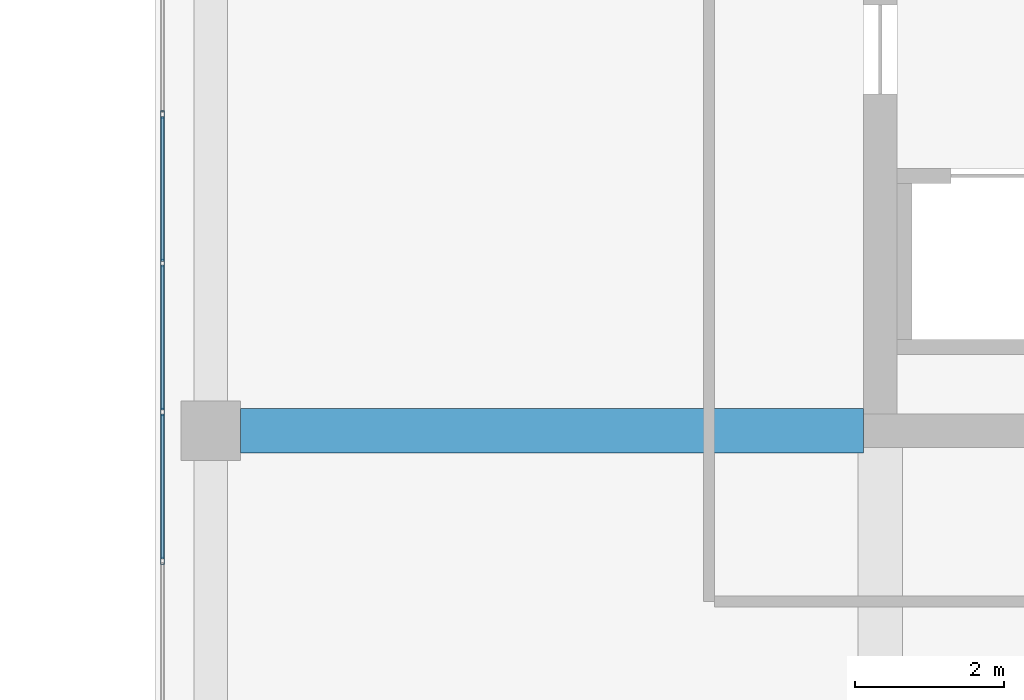
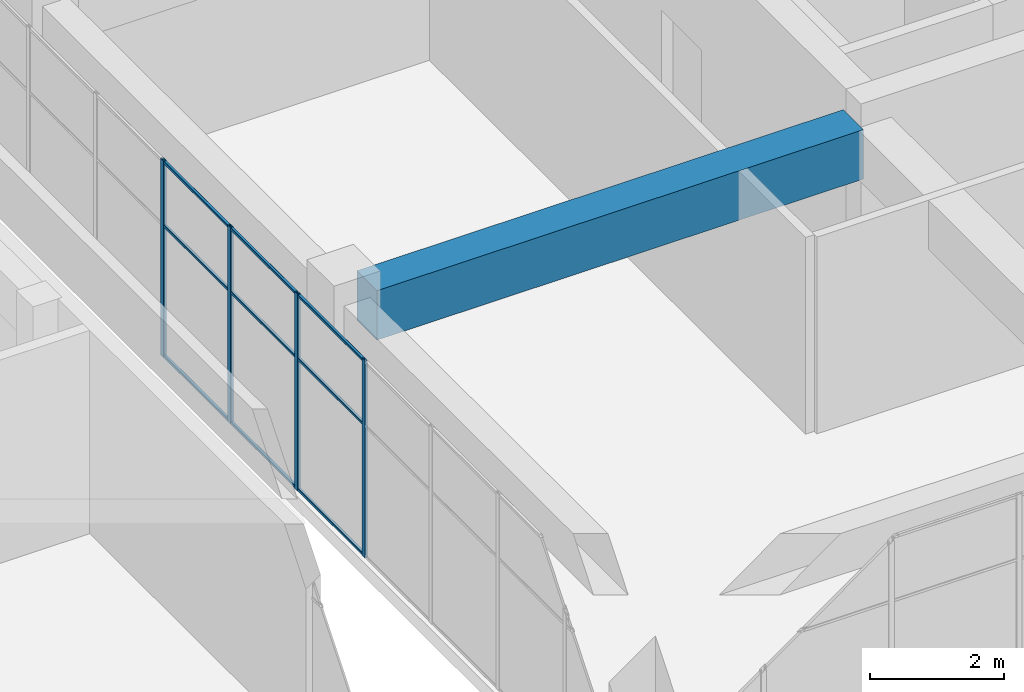
# One storey, part 32 of 72: 13 members, 1 beam, 1 element without a shape of its own.
"""IFC4 building model written with IfcOpenShell, lengths in metres."""

from ifc_helpers import new_model, si_unit, direction, frame, origin, origin_2d, place, context, subcontext, project, spatial, rectangle, hollow_rectangle, extrude, material, layer, layer_set, material_profile, profile_set, type_object, element, aggregate, save


model = new_model("IFC4")

# Units and contexts
model_context = context("Model", 3, precision=1e-05, world=origin(), true_north=direction((0.0, 1.0)))
body_context = subcontext(model_context, "Body", "Model", "MODEL_VIEW")
ifc_project = project(units=[si_unit("LENGTHUNIT", "METRE"), si_unit("AREAUNIT", "SQUARE_METRE"), si_unit("VOLUMEUNIT", "CUBIC_METRE"), si_unit("PLANEANGLEUNIT", "RADIAN"), si_unit("MASSUNIT", "GRAM", prefix="KILO")], contexts=[model_context])

# Site, building, storey
site_placement = place(None, origin())
site = spatial("IfcSite", under=ifc_project, at=site_placement, CompositionType="ELEMENT")
building_placement = place(site_placement, origin())
building = spatial("IfcBuilding", under=site, at=building_placement, Name="Tuart Plaza Theatre", CompositionType="ELEMENT")
storey_placement = place(building_placement, frame((0.0, 0.0, 13.5)))
storey = spatial("IfcBuildingStorey", under=building, at=storey_placement, Name="L03", CompositionType="ELEMENT", Elevation=13.5)

# Beam
ifc_material_1 = material(Name="Concrete N40 (40 MPa)", Category="concrete")
ifc_material_profile_1 = material_profile(ifc_material_1, rectangle(XDim=0.60009765625, YDim=0.89990234375, at=origin_2d()), Name="BEAM 600x900 Concrete N40 (40 MPa)")
ifc_profile_set_1 = profile_set([ifc_material_profile_1], Name="Concrete N40 (40 MPa)")
beam_type = type_object("IfcBeamType", Name="BEAM 600x900 Concrete N40 (40 MPa)", PredefinedType="BEAM", material=ifc_profile_set_1)
beam_placement = place(storey_placement, frame((114.39990234375, 65.0, 3.1298828125), z_axis=(1.0, 0.0, 0.0), x_axis=(0.0, 1.0, 0.0)))
element("IfcBeam", 1, at=beam_placement, inside=storey, type_object=beam_type, Name="RB165", PredefinedType="BEAM", context=body_context, shape_type="SweptSolid", body=[
    extrude(rectangle(XDim=0.60009765625, YDim=0.89990234375, at=origin_2d()), origin(), (0.0, 0.0, 1.0), 8.375),
])

# Curtain wall, members
ifc_material_2 = material(Name="Aluminium and glass", Category="aluminium")
ifc_layer = layer(ifc_material_2, 0.10009765625)
ifc_layer_set = layer_set([ifc_layer], Name="CURTAIN WALL 2000 module")
curtain_wall_type = type_object("IfcCurtainWallType", Name="CURTAIN WALL 2000 module", PredefinedType="NOTDEFINED", material=ifc_layer_set)
curtain_wall_placement = place(storey_placement, origin())
curtain_wall = element("IfcCurtainWall", 2, at=curtain_wall_placement, inside=storey, type_object=curtain_wall_type, Name="CW73", PredefinedType="NOTDEFINED")
ifc_material_3 = material(Name="Aluminium 6063-T5", Category="aluminium")
ifc_material_profile_2 = material_profile(ifc_material_3, hollow_rectangle(XDim=0.050048828125, YDim=0.10009765625, WallThickness=0.00390625, InnerFilletRadius=0.00390625, OuterFilletRadius=0.008056640625, at=origin_2d()), Name="RHS 100x50x4")
ifc_profile_set_2 = profile_set([ifc_material_profile_2], Name="Aluminium 6063-T5")
member_type_1 = type_object("IfcMemberType", Name="MULLION RHS 100x50x4", PredefinedType="MULLION", material=ifc_profile_set_2)
member_1_placement = place(storey_placement, frame((113.35009765625, 69.25, 0.0), z_axis=(0.0, 0.0, 1.0), x_axis=(1.0, 0.0, 0.0)))
member_1 = element("IfcMember", 3, at=member_1_placement, type_object=member_type_1, Name="CW73 mullion 15", PredefinedType="MULLION", context=body_context, shape_type="SweptSolid", body=[
    extrude(hollow_rectangle(XDim=0.050048828125, YDim=0.10009765625, WallThickness=0.00390625, InnerFilletRadius=0.00390625, OuterFilletRadius=0.008056640625, at=origin_2d()), origin(), (0.0, 0.0, 1.0), 3.580078125),
])
member_2_placement = place(storey_placement, frame((113.35009765625, 67.25, 0.0), z_axis=(0.0, 0.0, 1.0), x_axis=(1.0, 0.0, 0.0)))
member_2 = element("IfcMember", 4, at=member_2_placement, type_object=member_type_1, Name="CW73 mullion 16", PredefinedType="MULLION", context=body_context, shape_type="SweptSolid", body=[
    extrude(hollow_rectangle(XDim=0.050048828125, YDim=0.10009765625, WallThickness=0.00390625, InnerFilletRadius=0.00390625, OuterFilletRadius=0.008056640625, at=origin_2d()), origin(), (0.0, 0.0, 1.0), 3.580078125),
])
member_3_placement = place(storey_placement, frame((113.35009765625, 65.25, 0.0), z_axis=(0.0, 0.0, 1.0), x_axis=(1.0, 0.0, 0.0)))
member_3 = element("IfcMember", 5, at=member_3_placement, type_object=member_type_1, Name="CW73 mullion 17", PredefinedType="MULLION", context=body_context, shape_type="SweptSolid", body=[
    extrude(hollow_rectangle(XDim=0.050048828125, YDim=0.10009765625, WallThickness=0.00390625, InnerFilletRadius=0.00390625, OuterFilletRadius=0.008056640625, at=origin_2d()), origin(), (0.0, 0.0, 1.0), 3.580078125),
])
member_4_placement = place(storey_placement, frame((113.35009765625, 63.25, 0.0), z_axis=(0.0, 0.0, 1.0), x_axis=(1.0, 0.0, 0.0)))
member_4 = element("IfcMember", 6, at=member_4_placement, type_object=member_type_1, Name="CW73 mullion 18", PredefinedType="MULLION", context=body_context, shape_type="SweptSolid", body=[
    extrude(hollow_rectangle(XDim=0.050048828125, YDim=0.10009765625, WallThickness=0.00390625, InnerFilletRadius=0.00390625, OuterFilletRadius=0.008056640625, at=origin_2d()), origin(), (0.0, 0.0, 1.0), 3.580078125),
])
ifc_material_4 = material(Name="Aluminium 6063-T5", Category="aluminium")
ifc_material_profile_3 = material_profile(ifc_material_4, hollow_rectangle(XDim=0.050048828125, YDim=0.050048828125, WallThickness=0.00390625, InnerFilletRadius=0.00390625, OuterFilletRadius=0.008056640625, at=origin_2d()), Name="RHS 50x50x4")
ifc_profile_set_3 = profile_set([ifc_material_profile_3], Name="Aluminium 6063-T5")
member_type_2 = type_object("IfcMemberType", Name="TRANSOM RHS 50x50x4", PredefinedType="USERDEFINED", material=ifc_profile_set_3)
member_5_placement = place(storey_placement, frame((113.35009765625, 69.22509765625, 0.02490234375), z_axis=(0.0, -1.0, 0.0), x_axis=(1.0, 0.0, 0.0)))
member_5 = element("IfcMember", 7, at=member_5_placement, type_object=member_type_2, Name="CW73 transom 15.1", ObjectType="TRANSOM", PredefinedType="USERDEFINED", context=body_context, shape_type="SweptSolid", body=[
    extrude(hollow_rectangle(XDim=0.050048828125, YDim=0.050048828125, WallThickness=0.00390625, InnerFilletRadius=0.00390625, OuterFilletRadius=0.008056640625, at=origin_2d()), origin(), (0.0, 0.0, 1.0), 1.9501953125),
])
member_6_placement = place(storey_placement, frame((113.35009765625, 69.22509765625, 2.39990234375), z_axis=(0.0, -1.0, 0.0), x_axis=(1.0, 0.0, 0.0)))
member_6 = element("IfcMember", 8, at=member_6_placement, type_object=member_type_2, Name="CW73 transom 15.2", ObjectType="TRANSOM", PredefinedType="USERDEFINED", context=body_context, shape_type="SweptSolid", body=[
    extrude(hollow_rectangle(XDim=0.050048828125, YDim=0.050048828125, WallThickness=0.00390625, InnerFilletRadius=0.00390625, OuterFilletRadius=0.008056640625, at=origin_2d()), origin(), (0.0, 0.0, 1.0), 1.9501953125),
])
member_7_placement = place(storey_placement, frame((113.35009765625, 69.22509765625, 3.554931640625), z_axis=(0.0, -1.0, 0.0), x_axis=(1.0, 0.0, 0.0)))
member_7 = element("IfcMember", 9, at=member_7_placement, type_object=member_type_2, Name="CW73 transom 15.3", ObjectType="TRANSOM", PredefinedType="USERDEFINED", context=body_context, shape_type="SweptSolid", body=[
    extrude(hollow_rectangle(XDim=0.050048828125, YDim=0.050048828125, WallThickness=0.00390625, InnerFilletRadius=0.00390625, OuterFilletRadius=0.008056640625, at=origin_2d()), origin(), (0.0, 0.0, 1.0), 1.9501953125),
])
member_8_placement = place(storey_placement, frame((113.35009765625, 67.22509765625, 0.02490234375), z_axis=(0.0, -1.0, 0.0), x_axis=(1.0, 0.0, 0.0)))
member_8 = element("IfcMember", 10, at=member_8_placement, type_object=member_type_2, Name="CW73 transom 16.1", ObjectType="TRANSOM", PredefinedType="USERDEFINED", context=body_context, shape_type="SweptSolid", body=[
    extrude(hollow_rectangle(XDim=0.050048828125, YDim=0.050048828125, WallThickness=0.00390625, InnerFilletRadius=0.00390625, OuterFilletRadius=0.008056640625, at=origin_2d()), origin(), (0.0, 0.0, 1.0), 1.9501953125),
])
member_9_placement = place(storey_placement, frame((113.35009765625, 67.22509765625, 2.39990234375), z_axis=(0.0, -1.0, 0.0), x_axis=(1.0, 0.0, 0.0)))
member_9 = element("IfcMember", 11, at=member_9_placement, type_object=member_type_2, Name="CW73 transom 16.2", ObjectType="TRANSOM", PredefinedType="USERDEFINED", context=body_context, shape_type="SweptSolid", body=[
    extrude(hollow_rectangle(XDim=0.050048828125, YDim=0.050048828125, WallThickness=0.00390625, InnerFilletRadius=0.00390625, OuterFilletRadius=0.008056640625, at=origin_2d()), origin(), (0.0, 0.0, 1.0), 1.9501953125),
])
member_10_placement = place(storey_placement, frame((113.35009765625, 67.22509765625, 3.554931640625), z_axis=(0.0, -1.0, 0.0), x_axis=(1.0, 0.0, 0.0)))
member_10 = element("IfcMember", 12, at=member_10_placement, type_object=member_type_2, Name="CW73 transom 16.3", ObjectType="TRANSOM", PredefinedType="USERDEFINED", context=body_context, shape_type="SweptSolid", body=[
    extrude(hollow_rectangle(XDim=0.050048828125, YDim=0.050048828125, WallThickness=0.00390625, InnerFilletRadius=0.00390625, OuterFilletRadius=0.008056640625, at=origin_2d()), origin(), (0.0, 0.0, 1.0), 1.9501953125),
])
member_11_placement = place(storey_placement, frame((113.35009765625, 65.22509765625, 0.02490234375), z_axis=(0.0, -1.0, 0.0), x_axis=(1.0, 0.0, 0.0)))
member_11 = element("IfcMember", 13, at=member_11_placement, type_object=member_type_2, Name="CW73 transom 17.1", ObjectType="TRANSOM", PredefinedType="USERDEFINED", context=body_context, shape_type="SweptSolid", body=[
    extrude(hollow_rectangle(XDim=0.050048828125, YDim=0.050048828125, WallThickness=0.00390625, InnerFilletRadius=0.00390625, OuterFilletRadius=0.008056640625, at=origin_2d()), origin(), (0.0, 0.0, 1.0), 1.9501953125),
])
member_12_placement = place(storey_placement, frame((113.35009765625, 65.22509765625, 2.39990234375), z_axis=(0.0, -1.0, 0.0), x_axis=(1.0, 0.0, 0.0)))
member_12 = element("IfcMember", 14, at=member_12_placement, type_object=member_type_2, Name="CW73 transom 17.2", ObjectType="TRANSOM", PredefinedType="USERDEFINED", context=body_context, shape_type="SweptSolid", body=[
    extrude(hollow_rectangle(XDim=0.050048828125, YDim=0.050048828125, WallThickness=0.00390625, InnerFilletRadius=0.00390625, OuterFilletRadius=0.008056640625, at=origin_2d()), origin(), (0.0, 0.0, 1.0), 1.9501953125),
])
member_13_placement = place(storey_placement, frame((113.35009765625, 65.22509765625, 3.554931640625), z_axis=(0.0, -1.0, 0.0), x_axis=(1.0, 0.0, 0.0)))
member_13 = element("IfcMember", 15, at=member_13_placement, type_object=member_type_2, Name="CW73 transom 17.3", ObjectType="TRANSOM", PredefinedType="USERDEFINED", context=body_context, shape_type="SweptSolid", body=[
    extrude(hollow_rectangle(XDim=0.050048828125, YDim=0.050048828125, WallThickness=0.00390625, InnerFilletRadius=0.00390625, OuterFilletRadius=0.008056640625, at=origin_2d()), origin(), (0.0, 0.0, 1.0), 1.9501953125),
])
aggregate(curtain_wall, [member_1, member_2, member_3, member_4, member_5, member_6, member_7, member_8, member_9, member_10, member_11, member_12, member_13])

save(model, "model.ifc")
